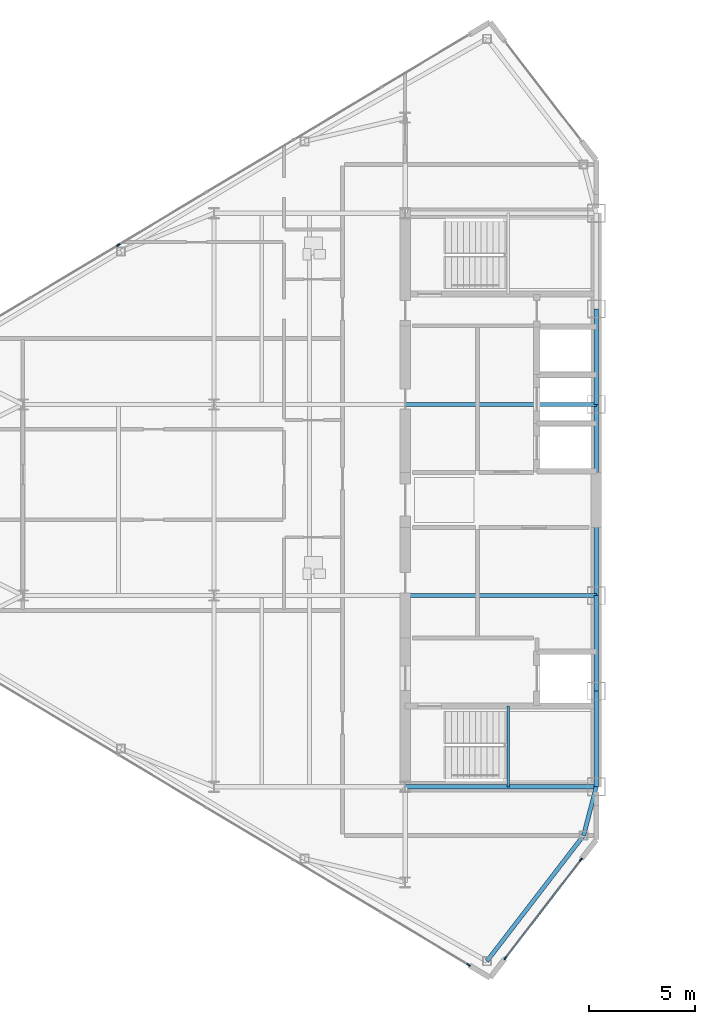
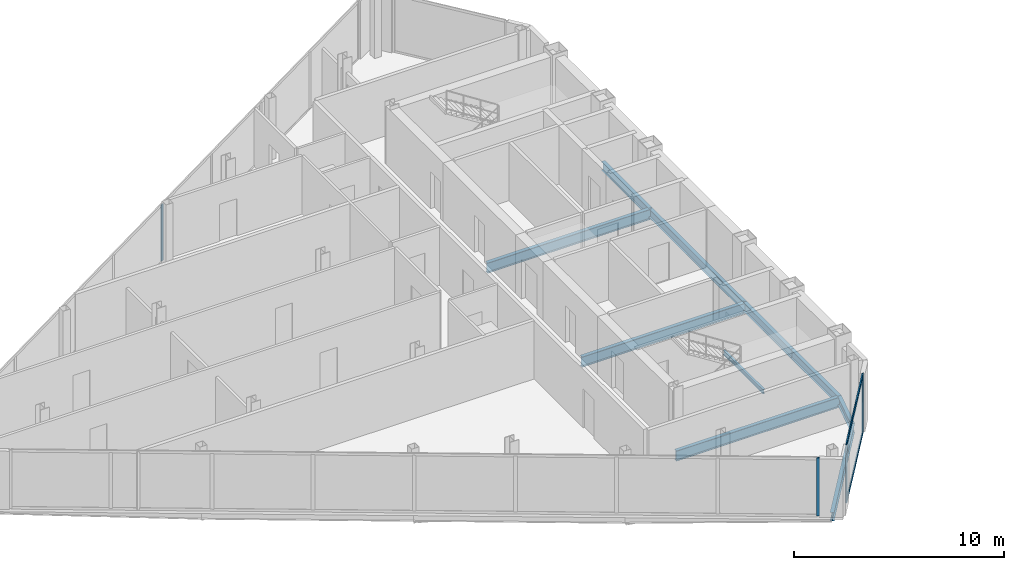
# One storey, part 8 of 25: 10 beams, 6 members, 3 elements without a shape of their own.
"""IFC4 building model written with IfcOpenShell, lengths in metres."""

from ifc_helpers import new_model, si_unit, direction, frame, origin, origin_2d, place, context, subcontext, project, spatial, rectangle, i_section, extrude, source, transform, mapped, material, layer, layer_set, material_profile, profile_set, type_object, type_shapes, element, aggregate, save


model = new_model("IFC4")

# Units and contexts
model_context = context("Model", 3, precision=1e-05, world=origin(), true_north=direction((0.0, 1.0)))
body_context = subcontext(model_context, "Body", "Model", "MODEL_VIEW")
ifc_project = project(units=[si_unit("LENGTHUNIT", "METRE"), si_unit("AREAUNIT", "SQUARE_METRE"), si_unit("VOLUMEUNIT", "CUBIC_METRE"), si_unit("PLANEANGLEUNIT", "RADIAN"), si_unit("MASSUNIT", "GRAM", prefix="KILO")], contexts=[model_context])

# Site, building, storey
site_placement = place(None, origin())
site = spatial("IfcSite", under=ifc_project, at=site_placement, CompositionType="ELEMENT")
building_placement = place(site_placement, origin())
building = spatial("IfcBuilding", under=site, at=building_placement, Name="Seokmaru Belvedere", CompositionType="ELEMENT")
storey_placement = place(building_placement, frame((0.0, 0.0, 213.89990234375)))
storey = spatial("IfcBuildingStorey", under=building, at=storey_placement, Name="L57", CompositionType="ELEMENT", Elevation=213.89990234375)

# Beams
ifc_material_1 = material(Name="Steel SM355 (355 MPa)", Category="steel")
ifc_material_profile_1 = material_profile(ifc_material_1, i_section(OverallWidth=0.199951171875, OverallDepth=0.5, WebThickness=0.010009765625, FlangeThickness=0.01611328125, at=origin_2d()), Name="H-500x200x10x16")
ifc_profile_set_1 = profile_set([ifc_material_profile_1], Name="Steel SM355 (355 MPa)")
beam_type_1 = type_object("IfcBeamType", Name="Perimeter Spandrel Beam H-500", PredefinedType="SPANDREL", material=ifc_profile_set_1)
shared_shape_1 = source(origin(), body_context, "Body", "SweptSolid", [
    extrude(i_section(OverallWidth=0.199951171875, OverallDepth=0.5, WebThickness=0.010009765625, FlangeThickness=0.01611328125, at=origin_2d()), origin(), (0.0, 0.0, 1.0), 4.5),
])
for number, where, z_axis, x_axis, name in (
    (1, (-27.5, -13.5, -0.469970703125), (0.0, 1.0, 0.0), (-1.0, 0.0, 0.0), "L57 W Portal Spine Spandrel 1"),
    (2, (-27.5, -9.0, -0.469970703125), (0.0, 1.0, 0.0), (-1.0, 0.0, 0.0), "L57 W Portal Spine Spandrel 2"),
    (3, (-27.5, 4.5, -0.469970703125), (0.0, 1.0, 0.0), (-1.0, 0.0, 0.0), "L57 W Portal Spine Spandrel 4"),
):
    element("IfcBeam", number, at=place(storey_placement, frame(where, z_axis=z_axis, x_axis=x_axis)), inside=storey, type_object=beam_type_1, Name=name, PredefinedType="SPANDREL", context=body_context, shape_type="MappedRepresentation", body=[
        mapped(shared_shape_1, transform((0.0, 0.0, 0.0), scale=1.0)),
    ])
shared_shape_2 = source(origin(), body_context, "Body", "SweptSolid", [
    extrude(i_section(OverallWidth=0.199951171875, OverallDepth=0.5, WebThickness=0.010009765625, FlangeThickness=0.01611328125, at=origin_2d()), origin(), (0.0, 0.0, 1.0), 9.0),
])
beam_1_placement = place(storey_placement, frame((-27.5, -4.5, -0.469970703125), z_axis=(0.0, 1.0, 0.0), x_axis=(-1.0, 0.0, 0.0)))
element("IfcBeam", 4, at=beam_1_placement, inside=storey, type_object=beam_type_1, Name="L57 W Portal Spine Spandrel 3", PredefinedType="SPANDREL", context=body_context, shape_type="MappedRepresentation", body=[
    mapped(shared_shape_2, transform((0.0, 0.0, 0.0), scale=1.0)),
])
ifc_material_profile_2 = material_profile(ifc_material_1, i_section(OverallWidth=0.199951171875, OverallDepth=0.60009765625, WebThickness=0.010986328125, FlangeThickness=0.01708984375, at=origin_2d()), Name="H-600x200x11x17")
ifc_profile_set_2 = profile_set([ifc_material_profile_2], Name="Steel SM355 (355 MPa)")
beam_type_2 = type_object("IfcBeamType", Name="Primary Floor Girder H-600", PredefinedType="BEAM", material=ifc_profile_set_2)
shared_shape_3 = source(origin(), body_context, "Body", "SweptSolid", [
    extrude(i_section(OverallWidth=0.199951171875, OverallDepth=0.60009765625, WebThickness=0.010986328125, FlangeThickness=0.01708984375, at=origin_2d()), origin(), (0.0, 0.0, 1.0), 9.0),
])
type_shapes(beam_type_2, [shared_shape_3])
for number, where, z_axis, x_axis, name in (
    (5, (-36.5, -13.5, -0.52001953125), (1.0, 0.0, 0.0), (0.0, 1.0, 0.0), "L57 W Core Tie Girder 1"),
    (6, (-36.5, -4.5, -0.52001953125), (1.0, 0.0, 0.0), (0.0, 1.0, 0.0), "L57 W Core Tie Girder 2"),
    (7, (-36.5, 4.5, -0.52001953125), (1.0, 0.0, 0.0), (0.0, 1.0, 0.0), "L57 W Core Tie Girder 3"),
):
    element("IfcBeam", number, at=place(storey_placement, frame(where, z_axis=z_axis, x_axis=x_axis)), inside=storey, type_object=beam_type_2, Name=name, PredefinedType="BEAM", context=body_context, shape_type="MappedRepresentation", body=[
        mapped(shared_shape_3, transform((0.0, 0.0, 0.0), scale=1.0)),
    ])
shared_shape_4 = source(origin(), body_context, "Body", "SweptSolid", [
    extrude(i_section(OverallWidth=0.199951171875, OverallDepth=0.5, WebThickness=0.010009765625, FlangeThickness=0.01611328125, at=origin_2d()), origin(), (0.0, 0.0, 1.0), 7.4619140625),
])
beam_2_placement = place(storey_placement, frame((-32.649658203125, -21.71044921875, -0.469970703125), z_axis=(0.609702854945, 0.792630070507, 0.0), x_axis=(-0.792630070507, 0.609702854945, 0.0)))
element("IfcBeam", 8, at=beam_2_placement, inside=storey, type_object=beam_type_1, Name="L57 W Shoulder Chamfer Spandrel S", PredefinedType="SPANDREL", context=body_context, shape_type="MappedRepresentation", body=[
    mapped(shared_shape_4, transform((0.0, 0.0, 0.0), scale=1.0)),
])
shared_shape_5 = source(origin(), body_context, "Body", "SweptSolid", [
    extrude(i_section(OverallWidth=0.199951171875, OverallDepth=0.5, WebThickness=0.010009765625, FlangeThickness=0.01611328125, at=origin_2d()), origin(), (0.0, 0.0, 1.0), 2.373046875),
])
type_shapes(beam_type_1, [shared_shape_1, shared_shape_2, shared_shape_4, shared_shape_5])
beam_3_placement = place(storey_placement, frame((-28.10009765625, -15.7958984375, -0.469970703125), z_axis=(0.252882558842, 0.967496982648, 0.0), x_axis=(-0.967496982648, 0.252882558842, 0.0)))
element("IfcBeam", 9, at=beam_3_placement, inside=storey, type_object=beam_type_1, Name="L57 W Shoulder Spine Spandrel S", PredefinedType="SPANDREL", context=body_context, shape_type="MappedRepresentation", body=[
    mapped(shared_shape_5, transform((0.0, 0.0, 0.0), scale=1.0)),
])

# Curtain wall, member
ifc_material_2 = material(Name="Bronze Triple Insulating Glass", Category="glass")
ifc_layer = layer(ifc_material_2, 0.179931640625)
ifc_layer_set = layer_set([ifc_layer], Name="Bronze Triple Insulating Glass")
curtain_wall_type = type_object("IfcCurtainWallType", Name="High-Rise Wind-Corner Curtain Wall System CW-5", PredefinedType="NOTDEFINED", material=ifc_layer_set)
curtain_wall_1_placement = place(storey_placement, origin())
curtain_wall_1 = element("IfcCurtainWall", 10, at=curtain_wall_1_placement, inside=storey, type_object=curtain_wall_type, Name="L57 Curtain Wall WF3", PredefinedType="NOTDEFINED")
ifc_material_3 = material(Name="Anodised Bronze Aluminium", Category="aluminium")
ifc_material_profile_3 = material_profile(ifc_material_3, rectangle(XDim=0.06494140625, YDim=0.179931640625, at=origin_2d()), Name="CW-M-65x180")
ifc_profile_set_3 = profile_set([ifc_material_profile_3], Name="Anodised Bronze Aluminium")
member_type_1 = type_object("IfcMemberType", Name="Bronze Unitised Mullion 65x180", PredefinedType="MULLION", material=ifc_profile_set_3)
shared_shape_6 = source(origin(), body_context, "Body", "SweptSolid", [
    extrude(rectangle(XDim=0.06494140625, YDim=0.179931640625, at=origin_2d()), origin(), (0.0, 0.0, 1.0), 3.25),
])
member_1_placement = place(storey_placement, frame((-50.0, 12.0, 0.065185546875), z_axis=(0.0, 0.0, 1.0), x_axis=(0.514494909364, -0.85749343335, 0.0)))
member_1 = element("IfcMember", 11, at=member_1_placement, type_object=member_type_1, Name="CW:L57:WF3 Mullion 5", PredefinedType="MULLION", context=body_context, shape_type="MappedRepresentation", body=[
    mapped(shared_shape_6, transform((0.0, 0.0, 0.0), scale=1.0)),
])
aggregate(curtain_wall_1, [member_1])

curtain_wall_2_placement = place(storey_placement, origin())
curtain_wall_2 = element("IfcCurtainWall", 12, at=curtain_wall_2_placement, inside=storey, type_object=curtain_wall_type, Name="L57 Curtain Wall WF5", PredefinedType="NOTDEFINED")
shared_shape_7 = source(origin(), body_context, "Body", "SweptSolid", [
    extrude(rectangle(XDim=0.06494140625, YDim=0.179931640625, at=origin_2d()), origin(), (0.0, 0.0, 1.0), 3.380126953125),
])
type_shapes(member_type_1, [shared_shape_6, shared_shape_7])
member_2_placement = place(storey_placement, frame((-33.513916015625, -21.8916015625, 0.0), z_axis=(0.0, 0.0, 1.0), x_axis=(0.514494909364, 0.85749343335, 0.0)))
member_2 = element("IfcMember", 13, at=member_2_placement, type_object=member_type_1, Name="CW:L57:WF5 Mullion 9", PredefinedType="MULLION", context=body_context, shape_type="MappedRepresentation", body=[
    mapped(shared_shape_7, transform((0.0, 0.0, 0.0), scale=1.0)),
])
aggregate(curtain_wall_2, [member_2])

# Curtain wall, members
curtain_wall_3_placement = place(storey_placement, origin())
curtain_wall_3 = element("IfcCurtainWall", 14, at=curtain_wall_3_placement, inside=storey, type_object=curtain_wall_type, Name="L57 Curtain Wall WF6", PredefinedType="NOTDEFINED")
member_3_placement = place(storey_placement, frame((-31.779052734375, -21.562744140625, 0.0), z_axis=(0.0, 0.0, 1.0), x_axis=(-0.792631353244, 0.609701187349, 0.0)))
member_3 = element("IfcMember", 15, at=member_3_placement, type_object=member_type_1, Name="CW:L57:WF6 Mullion 1", PredefinedType="MULLION", context=body_context, shape_type="MappedRepresentation", body=[
    mapped(shared_shape_7, transform((0.0, 0.0, 0.0), scale=1.0)),
])
member_4_placement = place(storey_placement, frame((-28.220947265625, -16.937255859375, 0.0), z_axis=(0.0, 0.0, 1.0), x_axis=(-0.792631353244, 0.609701187349, 0.0)))
member_4 = element("IfcMember", 16, at=member_4_placement, type_object=member_type_1, Name="CW:L57:WF6 Mullion 2", PredefinedType="MULLION", context=body_context, shape_type="MappedRepresentation", body=[
    mapped(shared_shape_7, transform((0.0, 0.0, 0.0), scale=1.0)),
])
ifc_material_profile_4 = material_profile(ifc_material_3, rectangle(XDim=0.06494140625, YDim=0.14990234375, at=origin_2d()), Name="CW-T-65x150")
ifc_profile_set_4 = profile_set([ifc_material_profile_4], Name="Anodised Bronze Aluminium")
member_type_2 = type_object("IfcMemberType", Name="Bronze Unitised Transom 65x150", PredefinedType="USERDEFINED", material=ifc_profile_set_4)
shared_shape_8 = source(origin(), body_context, "Body", "SweptSolid", [
    extrude(rectangle(XDim=0.06494140625, YDim=0.14990234375, at=origin_2d()), origin(), (0.0, 0.0, 1.0), 5.77099609375),
])
type_shapes(member_type_2, [shared_shape_8])
member_5_placement = place(storey_placement, frame((-31.75927734375, -21.537109375, 0.03271484375), z_axis=(0.60970258286, 0.792630279799, 0.0), x_axis=(-0.792630279799, 0.60970258286, 0.0)))
member_5 = element("IfcMember", 17, at=member_5_placement, type_object=member_type_2, Name="CW:L57:WF6 Continuous Transom 1", ObjectType="TRANSOM", PredefinedType="USERDEFINED", context=body_context, shape_type="MappedRepresentation", body=[
    mapped(shared_shape_8, transform((0.0, 0.0, 0.0), scale=1.0)),
])
member_6_placement = place(storey_placement, frame((-31.75927734375, -21.537109375, 3.34765625), z_axis=(0.60970258286, 0.792630279799, 0.0), x_axis=(-0.792630279799, 0.60970258286, 0.0)))
member_6 = element("IfcMember", 18, at=member_6_placement, type_object=member_type_2, Name="CW:L57:WF6 Continuous Transom 2", ObjectType="TRANSOM", PredefinedType="USERDEFINED", context=body_context, shape_type="MappedRepresentation", body=[
    mapped(shared_shape_8, transform((0.0, 0.0, 0.0), scale=1.0)),
])
aggregate(curtain_wall_3, [member_3, member_4, member_5, member_6])

# Beam
ifc_material_profile_5 = material_profile(ifc_material_1, i_section(OverallWidth=0.125, OverallDepth=0.25, WebThickness=0.006103515625, FlangeThickness=0.009033203125, at=origin_2d()), Name="H-250x125x6x9")
ifc_profile_set_5 = profile_set([ifc_material_profile_5], Name="Steel SM355 (355 MPa)")
beam_type_3 = type_object("IfcBeamType", Name="Stair Mid-Landing Support Beam H-250", PredefinedType="JOIST", material=ifc_profile_set_5)
shared_shape_9 = source(origin(), body_context, "Body", "SweptSolid", [
    extrude(i_section(OverallWidth=0.125, OverallDepth=0.25, WebThickness=0.006103515625, FlangeThickness=0.009033203125, at=origin_2d()), origin(), (0.0, 0.0, 1.0), 3.800048828125),
])
type_shapes(beam_type_3, [shared_shape_9])
beam_4_placement = place(storey_placement, frame((-31.64990234375, -13.5, 1.47509765625), z_axis=(0.0, 1.0, 0.0), x_axis=(-1.0, 0.0, 0.0)))
element("IfcBeam", 19, at=beam_4_placement, inside=storey, type_object=beam_type_3, Name="L57 Stair ST-W1 Mid-Landing Support Beam 1", PredefinedType="JOIST", context=body_context, shape_type="MappedRepresentation", body=[
    mapped(shared_shape_9, transform((0.0, 0.0, 0.0), scale=1.0)),
])

save(model, "model.ifc")
